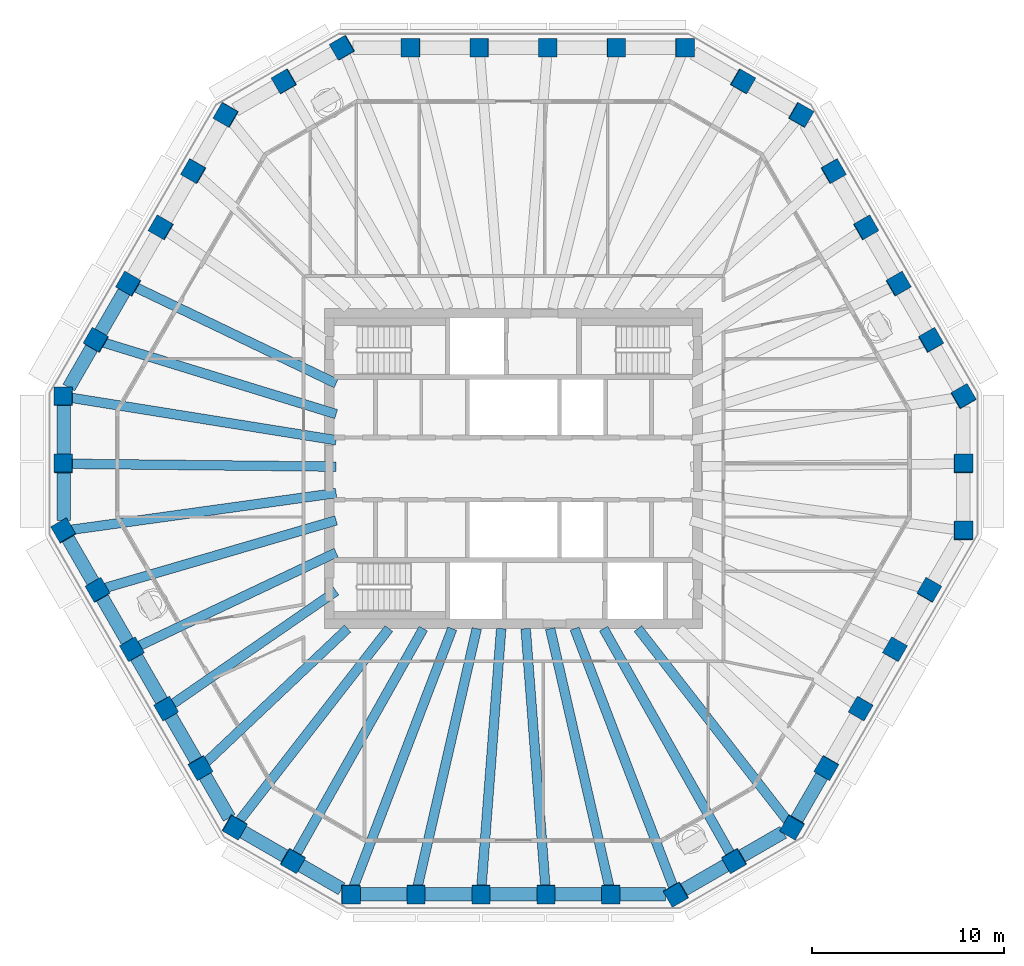
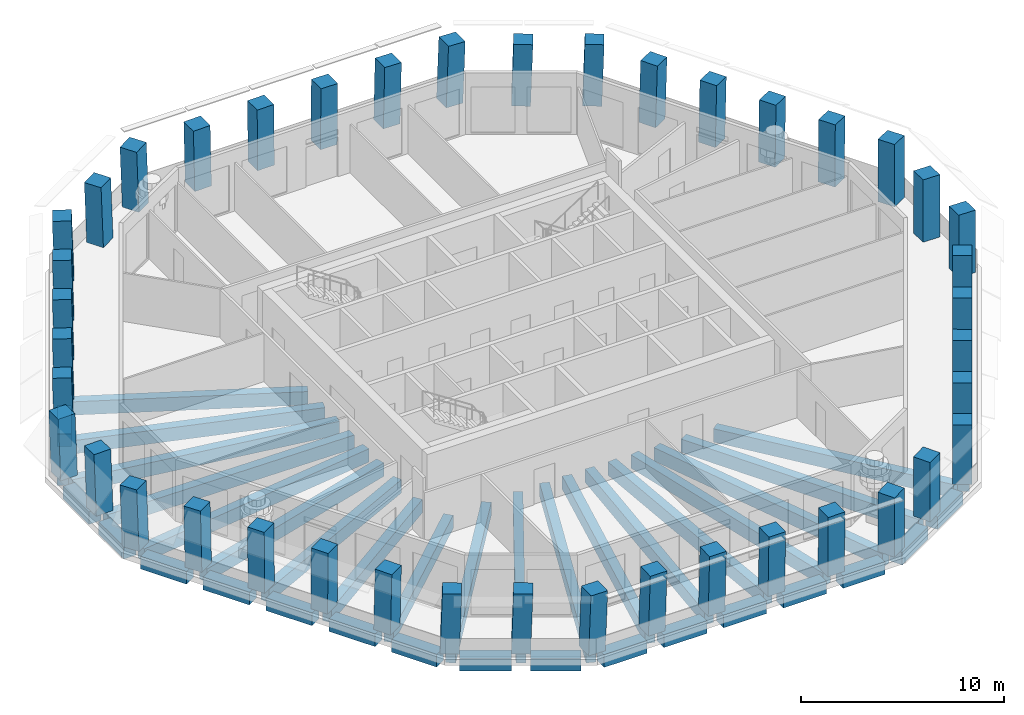
# One storey, part 1 of 12: 42 columns, 38 beams.
"""IFC4 building model written with IfcOpenShell, lengths in metres."""

import ifcopenshell
import ifcopenshell.guid

model = None  # the IFC model being written
_history = None  # IfcOwnerHistory: only IFC2X3 demands one
_inside = {}  # id of a spatial element -> (the spatial element, [elements in it])
_under = {}  # id of a project, library or spatial element -> (it, [spatial elements below it])
_declared = {}  # id of a project -> (the project, [libraries it declares])
_typed = {}  # id of a type object -> (the type object, [elements of that type])
_made_of = {}  # id of a material, layer set ... -> (it, [elements and type objects made of it])


def new_model(schema):
    """Start an empty IFC model of exactly this schema.

    Asked for "IFC4X3", IfcOpenShell would pick the latest addendum, in which some entities
    have other attributes; the version numbers below select the first issue.
    IFC2X3 requires an IfcOwnerHistory on every rooted entity: one is made here for all.
    """
    global model, _history
    if schema == "IFC4X3":
        model = ifcopenshell.file(schema_version=(4, 3, 0, 0))
    else:
        model = ifcopenshell.file(schema=schema)
    _inside.clear()
    _under.clear()
    _declared.clear()
    _typed.clear()
    _made_of.clear()
    _history = None
    if model.schema == "IFC2X3":
        org = make("IfcOrganization", Name="unknown")
        user = make(
            "IfcPersonAndOrganization",
            ThePerson=make("IfcPerson", FamilyName="unknown"),
            TheOrganization=org,
        )
        app = make(
            "IfcApplication",
            ApplicationDeveloper=org,
            Version="unknown",
            ApplicationFullName="unknown",
            ApplicationIdentifier="unknown",
        )
        _history = make(
            "IfcOwnerHistory",
            OwningUser=user,
            OwningApplication=app,
            ChangeAction="ADDED",
            CreationDate=0,
        )
    return model


def make(cls, **values):
    """One entity of the class cls with the attributes given. An attribute that is None is left unset."""
    return model.create_entity(
        cls, **{name: value for name, value in values.items() if value is not None}
    )


def rooted(cls, **values):
    """An entity with a GlobalId (a new one), such as an element, a storey or a relation."""
    return make(cls, GlobalId=ifcopenshell.guid.new(), OwnerHistory=_history, **values)


def si_unit(unit_type, name, prefix=None):
    """IfcSIUnit, for example si_unit("LENGTHUNIT", "METRE", prefix="MILLI")."""
    return make("IfcSIUnit", UnitType=unit_type, Prefix=prefix, Name=name)


def assignment(units):
    """IfcUnitAssignment: the units of a project."""
    return None if units is None else make("IfcUnitAssignment", Units=units)


def point(xyz):
    """IfcCartesianPoint."""
    return None if xyz is None else make("IfcCartesianPoint", Coordinates=xyz)


def direction(xyz):
    """IfcDirection."""
    return None if xyz is None else make("IfcDirection", DirectionRatios=xyz)


def frame(location, z_axis=None, x_axis=None):
    """IfcAxis2Placement3D, a coordinate frame: its origin and axes. An axis left out is left unset."""
    return make(
        "IfcAxis2Placement3D",
        Location=point(location),
        Axis=direction(z_axis),
        RefDirection=direction(x_axis),
    )


def frame_2d(location, x_axis=None):
    """IfcAxis2Placement2D, a coordinate frame in the plane: its origin and x axis."""
    return make(
        "IfcAxis2Placement2D", Location=point(location), RefDirection=direction(x_axis)
    )


def origin():
    """The frame at (0, 0, 0) with its axes left unset."""
    return frame((0.0, 0.0, 0.0))


def origin_2d():
    """The frame at (0, 0) in the plane with its x axis left unset."""
    return frame_2d((0.0, 0.0))


def place(relative_to, where):
    """IfcLocalPlacement: puts the frame where relative to a parent placement (None: the world)."""
    return make(
        "IfcLocalPlacement", PlacementRelTo=relative_to, RelativePlacement=where
    )


def context(
    kind, dimensions, precision=None, world=None, true_north=None, identifier=None
):
    """IfcGeometricRepresentationContext, for example the 3D "Model" context."""
    return make(
        "IfcGeometricRepresentationContext",
        ContextIdentifier=identifier,
        ContextType=kind,
        CoordinateSpaceDimension=dimensions,
        Precision=precision,
        WorldCoordinateSystem=world,
        TrueNorth=true_north,
    )


def subcontext(parent, identifier, kind, view, scale=None):
    """IfcGeometricRepresentationSubContext, for example "Body" below "Model"."""
    return make(
        "IfcGeometricRepresentationSubContext",
        ContextIdentifier=identifier,
        ContextType=kind,
        ParentContext=parent,
        TargetScale=scale,
        TargetView=view,
    )


def project(units=None, contexts=None):
    """IfcProject with its units and contexts."""
    return rooted(
        "IfcProject",
        Name="project",
        RepresentationContexts=contexts,
        UnitsInContext=assignment(units),
    )


def spatial(cls, under=None, at=None, **own):
    """A site, building, storey or space (cls), placed at a placement, below another one or the project."""
    s = rooted(cls, ObjectPlacement=at, **own)
    if under is not None:
        _under.setdefault(under.id(), (under, []))[1].append(s)
    return s


def profile(cls, at=None, kind="AREA", **sizes):
    """A parametric profile (cls). Its sizes go by their IFC names, for example OverallWidth=200.0."""
    return make(cls, ProfileType=kind, Position=at, **sizes)


def rectangle(**sizes):
    """IfcRectangleProfileDef."""
    return profile("IfcRectangleProfileDef", **sizes)


def extrude(swept, where, along, depth):
    """IfcExtrudedAreaSolid: the profile swept, set in the frame where, extruded along a direction by depth."""
    return make(
        "IfcExtrudedAreaSolid",
        SweptArea=swept,
        Position=where,
        ExtrudedDirection=direction(along),
        Depth=depth,
    )


def shape(context_of_items, identifier, shape_type, items):
    """IfcShapeRepresentation: the items that make up one representation, for example the "Body"."""
    return make(
        "IfcShapeRepresentation",
        ContextOfItems=context_of_items,
        RepresentationIdentifier=identifier,
        RepresentationType=shape_type,
        Items=items,
    )


def material(Name=None, Category=None):
    """IfcMaterial."""
    return make("IfcMaterial", Name=Name, Category=Category)


def material_profile(
    of_material, cross_section, Name=None, Category=None, Priority=None
):
    """IfcMaterialProfile: a cross section and its material."""
    return make(
        "IfcMaterialProfile",
        Name=Name,
        Material=of_material,
        Profile=cross_section,
        Priority=Priority,
        Category=Category,
    )


def profile_set(profiles, Name=None, composite=None):
    """IfcMaterialProfileSet."""
    return make(
        "IfcMaterialProfileSet",
        Name=Name,
        MaterialProfiles=profiles,
        CompositeProfile=composite,
    )


def made_of(thing, what):
    """Note that an element or type object is made of a material, layer set ...; save() writes the relation."""
    if what is not None:
        _made_of.setdefault(what.id(), (what, []))[1].append(thing)
    return thing


def type_object(cls, material=None, **own):
    """A type object (cls), such as IfcWallType, which elements share."""
    return made_of(rooted(cls, **own), material)


def element(
    cls,
    number,
    at=None,
    inside=None,
    cuts=None,
    type_object=None,
    material=None,
    context=None,
    identifier="Body",
    shape_type=None,
    held_by="IfcProductDefinitionShape",
    body=None,
    shapes=None,
    **own,
):
    """One element of the class cls, such as IfcWall. Its Tag is "e" and its number.

    at: its placement. inside: the storey or other place that contains it. cuts: it is an
    opening in that element (IfcRelVoidsElement). A single representation is given by context,
    identifier, shape_type and body (its items); several are given by shapes. held_by: the class
    of the entity that holds the representations. save() writes the other relations.
    """
    e = rooted(cls, Tag="e%d" % number, ObjectPlacement=at, **own)
    if body is not None:
        shapes = [shape(context, identifier, shape_type, body)]
    if shapes is not None:
        e.Representation = make(held_by, Representations=shapes)
    if inside is not None:
        _inside.setdefault(inside.id(), (inside, []))[1].append(e)
    if cuts is not None:
        rooted(
            "IfcRelVoidsElement", RelatingBuildingElement=cuts, RelatedOpeningElement=e
        )
    if type_object is not None:
        _typed.setdefault(type_object.id(), (type_object, []))[1].append(e)
    return made_of(e, material)


def aggregate(whole, parts):
    """IfcRelAggregates: a whole, such as a stair, and the parts it consists of."""
    return rooted("IfcRelAggregates", RelatingObject=whole, RelatedObjects=parts)


def save(model, path):
    """Write the relations noted so far, then the file.

    IfcRelAggregates (storeys below a building ...), IfcRelContainedInSpatialStructure (elements
    in a storey), IfcRelDefinesByType, IfcRelAssociatesMaterial and IfcRelDeclares: one each for
    every whole, place, type object, material and project.
    """
    for whole, parts in _under.values():
        aggregate(whole, parts)
    for where, things in _inside.values():
        rooted(
            "IfcRelContainedInSpatialStructure",
            RelatedElements=things,
            RelatingStructure=where,
        )
    for kind, things in _typed.values():
        rooted("IfcRelDefinesByType", RelatedObjects=things, RelatingType=kind)
    for what, things in _made_of.values():
        rooted("IfcRelAssociatesMaterial", RelatedObjects=things, RelatingMaterial=what)
    for by, libraries in _declared.values():
        rooted("IfcRelDeclares", RelatingContext=by, RelatedDefinitions=libraries)
    model.write(path)


model = new_model("IFC4")

# Units and contexts
model_context = context("Model", 3, precision=1e-05, world=origin(), true_north=direction((0.0, 1.0)))
body_context = subcontext(model_context, "Body", "Model", "MODEL_VIEW")
ifc_project = project(units=[si_unit("LENGTHUNIT", "METRE"), si_unit("AREAUNIT", "SQUARE_METRE"), si_unit("VOLUMEUNIT", "CUBIC_METRE"), si_unit("PLANEANGLEUNIT", "RADIAN"), si_unit("MASSUNIT", "GRAM", prefix="KILO")], contexts=[model_context])

# Site, building, storey
site_placement = place(None, origin())
site = spatial("IfcSite", under=ifc_project, at=site_placement, CompositionType="ELEMENT")
building_placement = place(site_placement, origin())
building = spatial("IfcBuilding", under=site, at=building_placement, Name="Frailejon Research Tower", CompositionType="ELEMENT")
storey_placement = place(building_placement, frame((0.0, 0.0, 271.0)))
storey = spatial("IfcBuildingStorey", under=building, at=storey_placement, Name="L59", CompositionType="ELEMENT", Elevation=271.0)

# Columns
ifc_material_1 = material(Name="Concrete C50/60", Category="concrete")
ifc_material_profile_1 = material_profile(ifc_material_1, rectangle(XDim=0.949951171875, YDim=0.949951171875, at=origin_2d()), Name="Column 950")
ifc_profile_set_1 = profile_set([ifc_material_profile_1], Name="Concrete C50/60")
column_type = type_object("IfcColumnType", Name="Column 950", PredefinedType="COLUMN", material=ifc_profile_set_1)
for number, where, z_axis, x_axis, name in (
    (1, (23.468994140625, -3.25048828125, 0.0), (0.018115165867, 0.031417446337, 0.999342176049), (-0.000356798002, 0.999506327589, -0.031416139245), "Column C01"),
    (2, (23.468994140625, 0.25146484375, 0.0), (0.018115165867, 0.031417446337, 0.999342176049), (-0.000700571395, 0.999506341588, -0.031409908073), "Column C02"),
    (3, (23.468994140625, 3.75341796875, 0.0), (0.018115165867, 0.031417446337, 0.999342176049), (-0.500524543364, 0.865532325635, -0.018137661659), "Column C03"),
):
    element("IfcColumn", number, at=place(storey_placement, frame(where, z_axis=z_axis, x_axis=x_axis)), inside=storey, type_object=column_type, Name=name, PredefinedType="COLUMN", context=body_context, shape_type="SweptSolid", body=[
        extrude(rectangle(XDim=0.949951171875, YDim=0.949951171875, at=origin_2d()), origin(), (0.0, 0.0, 1.0), 3.65234375),
    ])
for number, where, z_axis, x_axis, name in (
    (4, (21.772216796875, 6.6923828125, 0.0), (0.021793949015, 0.025136579231, 0.999446434868), (-0.499665408411, 0.866150057728, -0.010888394553), "Column C04"),
    (5, (20.075439453125, 9.631103515625, 0.0), (0.025405304683, 0.018920266383, 0.999498171091), (-0.501003025271, 0.865437843341, -0.003648010707), "Column C05"),
):
    element("IfcColumn", number, at=place(storey_placement, frame(where, z_axis=z_axis, x_axis=x_axis)), inside=storey, type_object=column_type, Name=name, PredefinedType="COLUMN", context=body_context, shape_type="SweptSolid", body=[
        extrude(rectangle(XDim=0.949951171875, YDim=0.949951171875, at=origin_2d()), origin(), (0.0, 0.0, 1.0), 3.65185546875),
    ])
column_1_placement = place(storey_placement, frame((18.378662109375, 12.5703125, 0.0), z_axis=(0.029015583354, 0.012568962375, 0.99949993352), x_axis=(-0.499848966802, 0.86610502362, 0.003619177736)))
element("IfcColumn", 6, at=column_1_placement, inside=storey, type_object=column_type, Name="Column C06", PredefinedType="COLUMN", context=body_context, shape_type="SweptSolid", body=[
    extrude(rectangle(XDim=0.949951171875, YDim=0.949951171875, at=origin_2d()), origin(), (0.0, 0.0, 1.0), 3.651611328125),
])
column_2_placement = place(storey_placement, frame((16.681884765625, 15.509033203125, 0.0), z_axis=(0.032624119908, 0.006284154245, 0.999447935715), x_axis=(-0.500036299202, 0.865936128062, 0.010877573109)))
element("IfcColumn", 7, at=column_2_placement, inside=storey, type_object=column_type, Name="Column C07", PredefinedType="COLUMN", context=body_context, shape_type="SweptSolid", body=[
    extrude(rectangle(XDim=0.949951171875, YDim=0.949951171875, at=origin_2d()), origin(), (0.0, 0.0, 1.0), 3.65185546875),
])
for number, where, z_axis, x_axis, name in (
    (8, (14.985107421875, 18.447998046875, 0.0), (0.036230378439, 0.0, 0.99934346432), (-0.865314641241, 0.500246354177, 0.031371273281), "Column C08"),
    (9, (11.9521484375, 20.198974609375, 0.0), (0.036297136169, 0.0, 0.99934104184), (-0.865312543657, 0.500246354177, 0.031429077673), "Column C09"),
    (10, (8.91943359375, 21.949951171875, 0.0), (0.036297136169, 0.0, 0.99934104184), (-0.99934104184, 0.0, 0.036297136169), "Column C10"),
):
    element("IfcColumn", number, at=place(storey_placement, frame(where, z_axis=z_axis, x_axis=x_axis)), inside=storey, type_object=column_type, Name=name, PredefinedType="COLUMN", context=body_context, shape_type="SweptSolid", body=[
        extrude(rectangle(XDim=0.949951171875, YDim=0.949951171875, at=origin_2d()), origin(), (0.0, 0.0, 1.0), 3.65234375),
    ])
column_3_placement = place(storey_placement, frame((5.351806640625, 21.949951171875, 0.0), z_axis=(0.021733995409, 0.0, 0.999763788824), x_axis=(-0.999763788824, 0.0, 0.021733995409)))
element("IfcColumn", 11, at=column_3_placement, inside=storey, type_object=column_type, Name="Column C11", PredefinedType="COLUMN", context=body_context, shape_type="SweptSolid", body=[
    extrude(rectangle(XDim=0.949951171875, YDim=0.949951171875, at=origin_2d()), origin(), (0.0, 0.0, 1.0), 3.65087890625),
])
for number, where, z_axis, x_axis, name in (
    (12, (1.783935546875, 21.949951171875, 0.0), (0.007223891772, 0.0, 0.999973907353), (-0.999973907353, 0.0, 0.007223891772), "Column C12"),
    (13, (-1.783935546875, 21.949951171875, 0.0), (-0.007223891772, 0.0, 0.999973907353), (-0.999973907353, 0.0, -0.007223891772), "Column C13"),
):
    element("IfcColumn", number, at=place(storey_placement, frame(where, z_axis=z_axis, x_axis=x_axis)), inside=storey, type_object=column_type, Name=name, PredefinedType="COLUMN", context=body_context, shape_type="SweptSolid", body=[
        extrude(rectangle(XDim=0.949951171875, YDim=0.949951171875, at=origin_2d()), origin(), (0.0, 0.0, 1.0), 3.64990234375),
    ])
column_4_placement = place(storey_placement, frame((-5.351806640625, 21.949951171875, 0.0), z_axis=(-0.021733995409, 0.0, 0.999763788824), x_axis=(-0.999763788824, 0.0, -0.021733995409)))
element("IfcColumn", 14, at=column_4_placement, inside=storey, type_object=column_type, Name="Column C14", PredefinedType="COLUMN", context=body_context, shape_type="SweptSolid", body=[
    extrude(rectangle(XDim=0.949951171875, YDim=0.949951171875, at=origin_2d()), origin(), (0.0, 0.0, 1.0), 3.65087890625),
])
for number, where, z_axis, x_axis, name in (
    (15, (-8.91943359375, 21.949951171875, 0.0), (-0.036297136169, 0.0, 0.99934104184), (-0.865312543657, -0.500246354177, -0.031429077673), "Column C15"),
    (16, (-11.9521484375, 20.198974609375, 0.0), (-0.036297136169, 0.0, 0.99934104184), (-0.865312543657, -0.500246354177, -0.031429077673), "Column C16"),
    (17, (-14.985107421875, 18.447998046875, 0.0), (-0.036230378439, 0.0, 0.99934346432), (-0.499425499283, -0.866167613071, -0.018106262248), "Column C17"),
):
    element("IfcColumn", number, at=place(storey_placement, frame(where, z_axis=z_axis, x_axis=x_axis)), inside=storey, type_object=column_type, Name=name, PredefinedType="COLUMN", context=body_context, shape_type="SweptSolid", body=[
        extrude(rectangle(XDim=0.949951171875, YDim=0.949951171875, at=origin_2d()), origin(), (0.0, 0.0, 1.0), 3.65234375),
    ])
column_5_placement = place(storey_placement, frame((-16.681884765625, 15.509033203125, 0.0), z_axis=(-0.032624119908, 0.006284154245, 0.999447935715), x_axis=(-0.500036299202, -0.865936128062, -0.010877573109)))
element("IfcColumn", 18, at=column_5_placement, inside=storey, type_object=column_type, Name="Column C18", PredefinedType="COLUMN", context=body_context, shape_type="SweptSolid", body=[
    extrude(rectangle(XDim=0.949951171875, YDim=0.949951171875, at=origin_2d()), origin(), (0.0, 0.0, 1.0), 3.65185546875),
])
column_6_placement = place(storey_placement, frame((-18.378662109375, 12.5703125, 0.0), z_axis=(-0.029015583354, 0.012568962375, 0.99949993352), x_axis=(-0.499848966802, -0.86610502362, -0.003619177736)))
element("IfcColumn", 19, at=column_6_placement, inside=storey, type_object=column_type, Name="Column C19", PredefinedType="COLUMN", context=body_context, shape_type="SweptSolid", body=[
    extrude(rectangle(XDim=0.949951171875, YDim=0.949951171875, at=origin_2d()), origin(), (0.0, 0.0, 1.0), 3.651611328125),
])
for number, where, z_axis, x_axis, name in (
    (20, (-20.075439453125, 9.631103515625, 0.0), (-0.025405304683, 0.018920266383, 0.999498171091), (-0.501003025271, -0.865437843341, 0.003648010707), "Column C20"),
    (21, (-21.772216796875, 6.6923828125, 0.0), (-0.021793949015, 0.025136579231, 0.999446434868), (-0.499665408411, -0.866150057728, 0.010888394553), "Column C21"),
):
    element("IfcColumn", number, at=place(storey_placement, frame(where, z_axis=z_axis, x_axis=x_axis)), inside=storey, type_object=column_type, Name=name, PredefinedType="COLUMN", context=body_context, shape_type="SweptSolid", body=[
        extrude(rectangle(XDim=0.949951171875, YDim=0.949951171875, at=origin_2d()), origin(), (0.0, 0.0, 1.0), 3.65185546875),
    ])
for number, where, z_axis, x_axis, name in (
    (22, (-23.468994140625, 3.75341796875, 0.0), (-0.018115165867, 0.031417446337, 0.999342176049), (-0.000700571395, -0.999506341588, 0.031409908073), "Column C22"),
    (23, (-23.468994140625, 0.25146484375, 0.0), (-0.018115165867, 0.031417446337, 0.999342176049), (-0.000700571395, -0.999506341588, 0.031409908073), "Column C23"),
    (24, (-23.468994140625, -3.25048828125, 0.0), (-0.018115165867, 0.031417446337, 0.999342176049), (0.49985680131, -0.865348463809, 0.036265884358), "Column C24"),
):
    element("IfcColumn", number, at=place(storey_placement, frame(where, z_axis=z_axis, x_axis=x_axis)), inside=storey, type_object=column_type, Name=name, PredefinedType="COLUMN", context=body_context, shape_type="SweptSolid", body=[
        extrude(rectangle(XDim=0.949951171875, YDim=0.949951171875, at=origin_2d()), origin(), (0.0, 0.0, 1.0), 3.65234375),
    ])
column_7_placement = place(storey_placement, frame((-21.68505859375, -6.34033203125, 0.0), z_axis=(-0.010900423214, 0.018858400897, 0.999762742599), x_axis=(0.500590318805, -0.865410234662, 0.021782067434)))
element("IfcColumn", 25, at=column_7_placement, inside=storey, type_object=column_type, Name="Column C25", PredefinedType="COLUMN", context=body_context, shape_type="SweptSolid", body=[
    extrude(rectangle(XDim=0.949951171875, YDim=0.949951171875, at=origin_2d()), origin(), (0.0, 0.0, 1.0), 3.65087890625),
])
for number, where, z_axis, x_axis, name in (
    (26, (-19.901123046875, -9.43017578125, 0.0), (-0.003611945175, 0.00628746012, 0.999973710503), (0.497890394796, -0.867209649664, 0.007251089524), "Column C26"),
    (27, (-18.1171875, -12.52001953125, 0.0), (0.003611946686, -0.006220574848, 0.99997412881), (0.501902146393, -0.864894498618, -0.007193170855), "Column C27"),
):
    element("IfcColumn", number, at=place(storey_placement, frame(where, z_axis=z_axis, x_axis=x_axis)), inside=storey, type_object=column_type, Name=name, PredefinedType="COLUMN", context=body_context, shape_type="SweptSolid", body=[
        extrude(rectangle(XDim=0.949951171875, YDim=0.949951171875, at=origin_2d()), origin(), (0.0, 0.0, 1.0), 3.64990234375),
    ])
column_8_placement = place(storey_placement, frame((-16.33349609375, -15.609619140625, 0.0), z_axis=(0.010900423214, -0.018858400897, 0.999762742599), x_axis=(0.500590318805, -0.865410234662, -0.021782067434)))
element("IfcColumn", 28, at=column_8_placement, inside=storey, type_object=column_type, Name="Column C28", PredefinedType="COLUMN", context=body_context, shape_type="SweptSolid", body=[
    extrude(rectangle(XDim=0.949951171875, YDim=0.949951171875, at=origin_2d()), origin(), (0.0, 0.0, 1.0), 3.65087890625),
])
for number, where, z_axis, x_axis, name in (
    (29, (-14.549560546875, -18.699462890625, 0.0), (0.018115165867, -0.031417446337, 0.999342176049), (0.865990190707, -0.499074935871, -0.031387863648), "Column C29"),
    (30, (-11.516845703125, -20.450439453125, 0.0), (0.018115165867, -0.031417446337, 0.999342176049), (0.865519692755, -0.499889378995, -0.031404939456), "Column C30"),
    (31, (-8.48388671875, -22.201416015625, 0.0), (0.018115165867, -0.031417446337, 0.999342176049), (0.999835642796, -0.000157281862, -0.01812905563), "Column C31"),
):
    element("IfcColumn", number, at=place(storey_placement, frame(where, z_axis=z_axis, x_axis=x_axis)), inside=storey, type_object=column_type, Name=name, PredefinedType="COLUMN", context=body_context, shape_type="SweptSolid", body=[
        extrude(rectangle(XDim=0.949951171875, YDim=0.949951171875, at=origin_2d()), origin(), (0.0, 0.0, 1.0), 3.65234375),
    ])
column_9_placement = place(storey_placement, frame((-5.09033203125, -22.201416015625, 0.0), z_axis=(0.010896978963, -0.031420736888, 0.99944684358), x_axis=(0.999940625187, 0.000298260455, -0.010892985919)))
element("IfcColumn", 32, at=column_9_placement, inside=storey, type_object=column_type, Name="Column C32", PredefinedType="COLUMN", context=body_context, shape_type="SweptSolid", body=[
    extrude(rectangle(XDim=0.949951171875, YDim=0.949951171875, at=origin_2d()), origin(), (0.0, 0.0, 1.0), 3.65185546875),
])
for number, where, z_axis, x_axis, name in (
    (33, (-1.69677734375, -22.201416015625, 0.0), (0.003610232938, -0.031422397791, 0.999499674405), (0.999993379572, -0.000341341874, -0.00362274737), "Column C33"),
    (34, (1.69677734375, -22.201416015625, 0.0), (-0.003610232938, -0.031422397791, 0.999499674405), (0.999993379572, 0.000341341874, 0.00362274737), "Column C34"),
):
    element("IfcColumn", number, at=place(storey_placement, frame(where, z_axis=z_axis, x_axis=x_axis)), inside=storey, type_object=column_type, Name=name, PredefinedType="COLUMN", context=body_context, shape_type="SweptSolid", body=[
        extrude(rectangle(XDim=0.949951171875, YDim=0.949951171875, at=origin_2d()), origin(), (0.0, 0.0, 1.0), 3.651611328125),
    ])
column_10_placement = place(storey_placement, frame((5.09033203125, -22.201416015625, 0.0), z_axis=(-0.010896978963, -0.031420736888, 0.99944684358), x_axis=(0.999940625187, -0.000298260455, 0.010892985919)))
element("IfcColumn", 35, at=column_10_placement, inside=storey, type_object=column_type, Name="Column C35", PredefinedType="COLUMN", context=body_context, shape_type="SweptSolid", body=[
    extrude(rectangle(XDim=0.949951171875, YDim=0.949951171875, at=origin_2d()), origin(), (0.0, 0.0, 1.0), 3.65185546875),
])
for number, where, z_axis, x_axis, name in (
    (36, (8.48388671875, -22.201416015625, 0.0), (-0.018115165867, -0.031417446337, 0.999342176049), (0.865519692755, 0.499889378995, 0.031404939456), "Column C36"),
    (37, (11.516845703125, -20.450439453125, 0.0), (-0.018115165867, -0.031417446337, 0.999342176049), (0.865519692755, 0.499889378995, 0.031404939456), "Column C37"),
    (38, (14.549560546875, -18.699462890625, 0.0), (-0.018115165867, -0.031417446337, 0.999342176049), (0.49985680131, 0.865348463809, 0.036265884358), "Column C38"),
):
    element("IfcColumn", number, at=place(storey_placement, frame(where, z_axis=z_axis, x_axis=x_axis)), inside=storey, type_object=column_type, Name=name, PredefinedType="COLUMN", context=body_context, shape_type="SweptSolid", body=[
        extrude(rectangle(XDim=0.949951171875, YDim=0.949951171875, at=origin_2d()), origin(), (0.0, 0.0, 1.0), 3.65234375),
    ])
column_11_placement = place(storey_placement, frame((16.33349609375, -15.609619140625, 0.0), z_axis=(-0.010900423214, -0.018858400897, 0.999762742599), x_axis=(0.500590318805, 0.865410234662, 0.021782067434)))
element("IfcColumn", 39, at=column_11_placement, inside=storey, type_object=column_type, Name="Column C39", PredefinedType="COLUMN", context=body_context, shape_type="SweptSolid", body=[
    extrude(rectangle(XDim=0.949951171875, YDim=0.949951171875, at=origin_2d()), origin(), (0.0, 0.0, 1.0), 3.65087890625),
])
for number, where, z_axis, x_axis, name in (
    (40, (18.1171875, -12.52001953125, 0.0), (-0.003611946686, -0.006220574848, 0.99997412881), (0.501902146393, 0.864894498618, 0.007193170855), "Column C40"),
    (41, (19.901123046875, -9.43017578125, 0.0), (0.003611945175, 0.00628746012, 0.999973710503), (0.497890394796, 0.867209649664, -0.007251089524), "Column C41"),
):
    element("IfcColumn", number, at=place(storey_placement, frame(where, z_axis=z_axis, x_axis=x_axis)), inside=storey, type_object=column_type, Name=name, PredefinedType="COLUMN", context=body_context, shape_type="SweptSolid", body=[
        extrude(rectangle(XDim=0.949951171875, YDim=0.949951171875, at=origin_2d()), origin(), (0.0, 0.0, 1.0), 3.64990234375),
    ])
column_12_placement = place(storey_placement, frame((21.68505859375, -6.34033203125, 0.0), z_axis=(0.010900423214, 0.018858400897, 0.999762742599), x_axis=(0.500590318805, 0.865410234662, -0.021782067434)))
element("IfcColumn", 42, at=column_12_placement, inside=storey, type_object=column_type, Name="Column C42", PredefinedType="COLUMN", context=body_context, shape_type="SweptSolid", body=[
    extrude(rectangle(XDim=0.949951171875, YDim=0.949951171875, at=origin_2d()), origin(), (0.0, 0.0, 1.0), 3.65087890625),
])

# Beams
ifc_material_2 = material(Name="Concrete C60/75", Category="concrete")
ifc_material_profile_2 = material_profile(ifc_material_2, rectangle(XDim=0.5, YDim=0.800048828125, at=origin_2d()), Name="Girder 500x800")
ifc_profile_set_2 = profile_set([ifc_material_profile_2], Name="Concrete C60/75")
beam_type_1 = type_object("IfcBeamType", Name="Girder 500x800", PredefinedType="BEAM", material=ifc_profile_set_2)
beam_1_placement = place(storey_placement, frame((-19.781005859375, 9.489990234375, -0.699951171875), z_axis=(0.901611104768, -0.432547587854, 0.0), x_axis=(0.432547587854, 0.901611104768, 0.0)))
element("IfcBeam", 43, at=beam_1_placement, inside=storey, type_object=beam_type_1, Name="Girder 500x800", PredefinedType="BEAM", context=body_context, shape_type="SweptSolid", body=[
    extrude(rectangle(XDim=0.5, YDim=0.800048828125, at=origin_2d()), origin(), (0.0, 0.0, 1.0), 11.68017578125),
])
beam_2_placement = place(storey_placement, frame((-21.44970703125, 6.59326171875, -0.699951171875), z_axis=(0.955861689664, -0.293817001266, 0.0), x_axis=(0.293817001266, 0.955861689664, 0.0)))
element("IfcBeam", 44, at=beam_2_placement, inside=storey, type_object=beam_type_1, Name="Girder 500x800", PredefinedType="BEAM", context=body_context, shape_type="SweptSolid", body=[
    extrude(rectangle(XDim=0.5, YDim=0.800048828125, at=origin_2d()), origin(), (0.0, 0.0, 1.0), 12.762939453125),
])
beam_3_placement = place(storey_placement, frame((-23.14208984375, 3.701171875, -0.699951171875), z_axis=(0.987452324591, -0.157917404551, 0.0), x_axis=(0.157917404551, 0.987452324591, 0.0)))
element("IfcBeam", 45, at=beam_3_placement, inside=storey, type_object=beam_type_1, Name="Girder 500x800", PredefinedType="BEAM", context=body_context, shape_type="SweptSolid", body=[
    extrude(rectangle(XDim=0.5, YDim=0.800048828125, at=origin_2d()), origin(), (0.0, 0.0, 1.0), 14.068603515625),
])
beam_4_placement = place(storey_placement, frame((-23.14404296875, 0.247802734375, -0.699951171875), z_axis=(0.999942748071, -0.010700494352, 0.0), x_axis=(0.010700494352, 0.999942748071, 0.0)))
element("IfcBeam", 46, at=beam_4_placement, inside=storey, type_object=beam_type_1, Name="Girder 500x800", PredefinedType="BEAM", context=body_context, shape_type="SweptSolid", body=[
    extrude(rectangle(XDim=0.5, YDim=0.800048828125, at=origin_2d()), origin(), (0.0, 0.0, 1.0), 13.894775390625),
])
beam_5_placement = place(storey_placement, frame((-23.109619140625, -3.20068359375, -0.699951171875), z_axis=(0.990545891156, 0.137181768153, 0.0), x_axis=(-0.137181768153, 0.990545891156, 0.0)))
element("IfcBeam", 47, at=beam_5_placement, inside=storey, type_object=beam_type_1, Name="Girder 500x800", PredefinedType="BEAM", context=body_context, shape_type="SweptSolid", body=[
    extrude(rectangle(XDim=0.5, YDim=0.800048828125, at=origin_2d()), origin(), (0.0, 0.0, 1.0), 13.991943359375),
])
beam_6_placement = place(storey_placement, frame((-21.35986328125, -6.2451171875, -0.699951171875), z_axis=(0.959819051667, 0.280619650161, 0.0), x_axis=(-0.280619650161, 0.959819051667, 0.0)))
element("IfcBeam", 48, at=beam_6_placement, inside=storey, type_object=beam_type_1, Name="Girder 500x800", PredefinedType="BEAM", context=body_context, shape_type="SweptSolid", body=[
    extrude(rectangle(XDim=0.5, YDim=0.800048828125, at=origin_2d()), origin(), (0.0, 0.0, 1.0), 12.61669921875),
])
beam_7_placement = place(storey_placement, frame((-19.606201171875, -9.290283203125, -0.699951171875), z_axis=(0.903681872797, 0.428204475429, 0.0), x_axis=(-0.428204475429, 0.903681872797, 0.0)))
element("IfcBeam", 49, at=beam_7_placement, inside=storey, type_object=beam_type_1, Name="Girder 500x800", PredefinedType="BEAM", context=body_context, shape_type="SweptSolid", body=[
    extrude(rectangle(XDim=0.5, YDim=0.800048828125, at=origin_2d()), origin(), (0.0, 0.0, 1.0), 11.4599609375),
])
beam_8_placement = place(storey_placement, frame((-17.8486328125, -12.334228515625, -0.699951171875), z_axis=(0.822673728807, 0.568513795725, 0.0), x_axis=(-0.568513795725, 0.822673728807, 0.0)))
element("IfcBeam", 50, at=beam_8_placement, inside=storey, type_object=beam_type_1, Name="Girder 500x800", PredefinedType="BEAM", context=body_context, shape_type="SweptSolid", body=[
    extrude(rectangle(XDim=0.5, YDim=0.800048828125, at=origin_2d()), origin(), (0.0, 0.0, 1.0), 10.4521484375),
])
beam_9_placement = place(storey_placement, frame((-16.08740234375, -15.37744140625, -0.699951171875), z_axis=(0.726864916827, 0.686780454502, 0.0), x_axis=(-0.686780454502, 0.726864916827, 0.0)))
element("IfcBeam", 51, at=beam_9_placement, inside=storey, type_object=beam_type_1, Name="Girder 500x800", PredefinedType="BEAM", context=body_context, shape_type="SweptSolid", body=[
    extrude(rectangle(XDim=0.5, YDim=0.800048828125, at=origin_2d()), origin(), (0.0, 0.0, 1.0), 10.232421875),
])
beam_10_placement = place(storey_placement, frame((-14.34716796875, -18.439208984375, -0.699951171875), z_axis=(0.614099262214, 0.789228798352, 0.0), x_axis=(-0.789228798352, 0.614099262214, 0.0)))
element("IfcBeam", 52, at=beam_10_placement, inside=storey, type_object=beam_type_1, Name="Girder 500x800", PredefinedType="BEAM", context=body_context, shape_type="SweptSolid", body=[
    extrude(rectangle(XDim=0.5, YDim=0.800048828125, at=origin_2d()), origin(), (0.0, 0.0, 1.0), 12.783447265625),
])
beam_11_placement = place(storey_placement, frame((-11.357421875, -20.167236328125, -0.699951171875), z_axis=(0.490703041479, 0.87132687614, 0.0), x_axis=(-0.87132687614, 0.490703041479, 0.0)))
element("IfcBeam", 53, at=beam_11_placement, inside=storey, type_object=beam_type_1, Name="Girder 500x800", PredefinedType="BEAM", context=body_context, shape_type="SweptSolid", body=[
    extrude(rectangle(XDim=0.5, YDim=0.800048828125, at=origin_2d()), origin(), (0.0, 0.0, 1.0), 13.562255859375),
])
beam_12_placement = place(storey_placement, frame((-8.35595703125, -21.866455078125, -0.699951171875), z_axis=(0.356957781855, 0.934120517906, 0.0), x_axis=(-0.934120517906, 0.356957781855, 0.0)))
element("IfcBeam", 54, at=beam_12_placement, inside=storey, type_object=beam_type_1, Name="Girder 500x800", PredefinedType="BEAM", context=body_context, shape_type="SweptSolid", body=[
    extrude(rectangle(XDim=0.5, YDim=0.800048828125, at=origin_2d()), origin(), (0.0, 0.0, 1.0), 14.4697265625),
])
beam_13_placement = place(storey_placement, frame((-5.014892578125, -21.87255859375, -0.699951171875), z_axis=(0.223475080488, 0.974709643125, 0.0), x_axis=(-0.974709643125, 0.223475080488, 0.0)))
element("IfcBeam", 55, at=beam_13_placement, inside=storey, type_object=beam_type_1, Name="Girder 500x800", PredefinedType="BEAM", context=body_context, shape_type="SweptSolid", body=[
    extrude(rectangle(XDim=0.5, YDim=0.800048828125, at=origin_2d()), origin(), (0.0, 0.0, 1.0), 13.873291015625),
])
for number, where, z_axis, x_axis, name in (
    (56, (-1.671875, -21.8759765625, -0.699951171875), (0.076201031322, 0.997092474561, 0.0), (-0.997092474561, 0.076201031322, 0.0), "Girder 500x800"),
    (57, (1.671875, -21.8759765625, -0.699951171875), (-0.076201031322, 0.997092474561, 0.0), (-0.997092474561, -0.076201031322, 0.0), "Girder 500x800"),
):
    element("IfcBeam", number, at=place(storey_placement, frame(where, z_axis=z_axis, x_axis=x_axis)), inside=storey, type_object=beam_type_1, Name=name, PredefinedType="BEAM", context=body_context, shape_type="SweptSolid", body=[
        extrude(rectangle(XDim=0.5, YDim=0.800048828125, at=origin_2d()), origin(), (0.0, 0.0, 1.0), 13.5654296875),
    ])
beam_14_placement = place(storey_placement, frame((5.014892578125, -21.87255859375, -0.699951171875), z_axis=(-0.223475080488, 0.974709643125, 0.0), x_axis=(-0.974709643125, -0.223475080488, 0.0)))
element("IfcBeam", 58, at=beam_14_placement, inside=storey, type_object=beam_type_1, Name="Girder 500x800", PredefinedType="BEAM", context=body_context, shape_type="SweptSolid", body=[
    extrude(rectangle(XDim=0.5, YDim=0.800048828125, at=origin_2d()), origin(), (0.0, 0.0, 1.0), 13.873291015625),
])
beam_15_placement = place(storey_placement, frame((8.36572265625, -21.89208984375, -0.699951171875), z_axis=(-0.356955961017, 0.934121213705, 0.0), x_axis=(-0.934121213705, -0.356955961017, 0.0)))
element("IfcBeam", 59, at=beam_15_placement, inside=storey, type_object=beam_type_1, Name="Girder 500x800", PredefinedType="BEAM", context=body_context, shape_type="SweptSolid", body=[
    extrude(rectangle(XDim=0.5, YDim=0.800048828125, at=origin_2d()), origin(), (0.0, 0.0, 1.0), 14.4970703125),
])
beam_16_placement = place(storey_placement, frame((11.357421875, -20.167236328125, -0.699951171875), z_axis=(-0.490703041479, 0.87132687614, 0.0), x_axis=(-0.87132687614, -0.490703041479, 0.0)))
element("IfcBeam", 60, at=beam_16_placement, inside=storey, type_object=beam_type_1, Name="Girder 500x800", PredefinedType="BEAM", context=body_context, shape_type="SweptSolid", body=[
    extrude(rectangle(XDim=0.5, YDim=0.800048828125, at=origin_2d()), origin(), (0.0, 0.0, 1.0), 13.562255859375),
])
beam_17_placement = place(storey_placement, frame((14.326904296875, -18.4130859375, -0.699951171875), z_axis=(-0.614102324336, 0.789226415704, 0.0), x_axis=(-0.789226415704, -0.614102324336, 0.0)))
element("IfcBeam", 61, at=beam_17_placement, inside=storey, type_object=beam_type_1, Name="Girder 500x800", PredefinedType="BEAM", context=body_context, shape_type="SweptSolid", body=[
    extrude(rectangle(XDim=0.5, YDim=0.800048828125, at=origin_2d()), origin(), (0.0, 0.0, 1.0), 12.75048828125),
])
ifc_material_3 = material(Name="Concrete C60/75", Category="concrete")
ifc_material_profile_3 = material_profile(ifc_material_3, rectangle(XDim=0.699951171875, YDim=0.75, at=origin_2d()), Name="Spandrel 700x750")
ifc_profile_set_3 = profile_set([ifc_material_profile_3], Name="Concrete C60/75")
beam_type_2 = type_object("IfcBeamType", Name="Spandrel 700x750", PredefinedType="BEAM", material=ifc_profile_set_3)
beam_18_placement = place(storey_placement, frame((-20.31298828125, 9.2197265625, -0.72509765625), z_axis=(-0.500007885066, -0.866020851292, 0.0), x_axis=(0.866020851292, -0.500007885066, 0.0)))
element("IfcBeam", 62, at=beam_18_placement, inside=storey, type_object=beam_type_2, Name="Spandrel 700x750", PredefinedType="BEAM", context=body_context, shape_type="SweptSolid", body=[
    extrude(rectangle(XDim=0.699951171875, YDim=0.75, at=origin_2d()), origin(), (0.0, 0.0, 1.0), 2.443359375),
])
beam_19_placement = place(storey_placement, frame((-22.009765625, 6.281005859375, -0.72509765625), z_axis=(-0.5000167099, -0.866015756104, 0.0), x_axis=(0.866015756104, -0.5000167099, 0.0)))
element("IfcBeam", 63, at=beam_19_placement, inside=storey, type_object=beam_type_2, Name="Spandrel 700x750", PredefinedType="BEAM", context=body_context, shape_type="SweptSolid", body=[
    extrude(rectangle(XDim=0.699951171875, YDim=0.75, at=origin_2d()), origin(), (0.0, 0.0, 1.0), 2.3701171875),
])
beam_20_placement = place(storey_placement, frame((-23.468994140625, 3.2783203125, -0.72509765625), z_axis=(0.0, -1.0, 0.0), x_axis=(1.0, 0.0, 0.0)))
element("IfcBeam", 64, at=beam_20_placement, inside=storey, type_object=beam_type_2, Name="Spandrel 700x750", PredefinedType="BEAM", context=body_context, shape_type="SweptSolid", body=[
    extrude(rectangle(XDim=0.699951171875, YDim=0.75, at=origin_2d()), origin(), (0.0, 0.0, 1.0), 2.552001953125),
])
beam_21_placement = place(storey_placement, frame((-23.468994140625, -0.2236328125, -0.72509765625), z_axis=(0.0, -1.0, 0.0), x_axis=(1.0, 0.0, 0.0)))
element("IfcBeam", 65, at=beam_21_placement, inside=storey, type_object=beam_type_2, Name="Spandrel 700x750", PredefinedType="BEAM", context=body_context, shape_type="SweptSolid", body=[
    extrude(rectangle(XDim=0.699951171875, YDim=0.75, at=origin_2d()), origin(), (0.0, 0.0, 1.0), 2.478515625),
])
for number, where, z_axis, x_axis, name in (
    (66, (-23.2314453125, -3.662109375, -0.72509765625), (0.50002117804, -0.866013176292, 0.0), (0.866013176292, 0.50002117804, 0.0), "Spandrel 700x750"),
    (67, (-21.447509765625, -6.751708984375, -0.72509765625), (0.499980792466, -0.866036492975, 0.0), (0.866036492975, 0.499980792466, 0.0), "Spandrel 700x750"),
    (68, (-19.663818359375, -9.841552734375, -0.72509765625), (0.50009112377, -0.865972787059, 0.0), (0.865972787059, 0.50009112377, 0.0), "Spandrel 700x750"),
    (69, (-17.8798828125, -12.931396484375, -0.72509765625), (0.50009112377, -0.865972787059, 0.0), (0.865972787059, 0.50009112377, 0.0), "Spandrel 700x750"),
):
    element("IfcBeam", number, at=place(storey_placement, frame(where, z_axis=z_axis, x_axis=x_axis)), inside=storey, type_object=beam_type_2, Name=name, PredefinedType="BEAM", context=body_context, shape_type="SweptSolid", body=[
        extrude(rectangle(XDim=0.699951171875, YDim=0.75, at=origin_2d()), origin(), (0.0, 0.0, 1.0), 2.61767578125),
    ])
beam_22_placement = place(storey_placement, frame((-16.095947265625, -16.02099609375, -0.72509765625), z_axis=(0.500029781311, -0.866008208854, 0.0), x_axis=(0.866008208854, 0.500029781311, 0.0)))
element("IfcBeam", 70, at=beam_22_placement, inside=storey, type_object=beam_type_2, Name="Spandrel 700x750", PredefinedType="BEAM", context=body_context, shape_type="SweptSolid", body=[
    extrude(rectangle(XDim=0.699951171875, YDim=0.75, at=origin_2d()), origin(), (0.0, 0.0, 1.0), 2.544189453125),
])
beam_23_placement = place(storey_placement, frame((-14.13818359375, -18.93701171875, -0.72509765625), z_axis=(0.866032638483, -0.499987468925, 0.0), x_axis=(0.499987468925, 0.866032638483, 0.0)))
element("IfcBeam", 71, at=beam_23_placement, inside=storey, type_object=beam_type_2, Name="Spandrel 700x750", PredefinedType="BEAM", context=body_context, shape_type="SweptSolid", body=[
    extrude(rectangle(XDim=0.699951171875, YDim=0.75, at=origin_2d()), origin(), (0.0, 0.0, 1.0), 2.5517578125),
])
beam_24_placement = place(storey_placement, frame((-11.10546875, -20.68798828125, -0.72509765625), z_axis=(0.866028115054, -0.499995303914, 0.0), x_axis=(0.499995303914, 0.866028115054, 0.0)))
element("IfcBeam", 72, at=beam_24_placement, inside=storey, type_object=beam_type_2, Name="Spandrel 700x750", PredefinedType="BEAM", context=body_context, shape_type="SweptSolid", body=[
    extrude(rectangle(XDim=0.699951171875, YDim=0.75, at=origin_2d()), origin(), (0.0, 0.0, 1.0), 2.478515625),
])
for number, where, z_axis, x_axis, name in (
    (73, (-8.009033203125, -22.201416015625, -0.72509765625), (1.0, 0.0, 0.0), (0.0, 1.0, 0.0), "Spandrel 700x750"),
    (74, (-4.615478515625, -22.201416015625, -0.72509765625), (1.0, 0.0, 0.0), (0.0, 1.0, 0.0), "Spandrel 700x750"),
):
    element("IfcBeam", number, at=place(storey_placement, frame(where, z_axis=z_axis, x_axis=x_axis)), inside=storey, type_object=beam_type_2, Name=name, PredefinedType="BEAM", context=body_context, shape_type="SweptSolid", body=[
        extrude(rectangle(XDim=0.699951171875, YDim=0.75, at=origin_2d()), origin(), (0.0, 0.0, 1.0), 2.443603515625),
    ])
beam_25_placement = place(storey_placement, frame((-1.2216796875, -22.201416015625, -0.72509765625), z_axis=(1.0, 0.0, 0.0), x_axis=(0.0, 1.0, 0.0)))
element("IfcBeam", 75, at=beam_25_placement, inside=storey, type_object=beam_type_2, Name="Spandrel 700x750", PredefinedType="BEAM", context=body_context, shape_type="SweptSolid", body=[
    extrude(rectangle(XDim=0.699951171875, YDim=0.75, at=origin_2d()), origin(), (0.0, 0.0, 1.0), 2.443359375),
])
beam_26_placement = place(storey_placement, frame((2.171875, -22.201416015625, -0.72509765625), z_axis=(1.0, 0.0, 0.0), x_axis=(0.0, 1.0, 0.0)))
element("IfcBeam", 76, at=beam_26_placement, inside=storey, type_object=beam_type_2, Name="Spandrel 700x750", PredefinedType="BEAM", context=body_context, shape_type="SweptSolid", body=[
    extrude(rectangle(XDim=0.699951171875, YDim=0.75, at=origin_2d()), origin(), (0.0, 0.0, 1.0), 2.443603515625),
])
beam_27_placement = place(storey_placement, frame((5.5654296875, -22.201416015625, -0.72509765625), z_axis=(1.0, 0.0, 0.0), x_axis=(0.0, 1.0, 0.0)))
element("IfcBeam", 77, at=beam_27_placement, inside=storey, type_object=beam_type_2, Name="Spandrel 700x750", PredefinedType="BEAM", context=body_context, shape_type="SweptSolid", body=[
    extrude(rectangle(XDim=0.699951171875, YDim=0.75, at=origin_2d()), origin(), (0.0, 0.0, 1.0), 2.3701171875),
])
beam_28_placement = place(storey_placement, frame((8.8955078125, -21.9638671875, -0.72509765625), z_axis=(0.866032638483, 0.499987468925, 0.0), x_axis=(-0.499987468925, 0.866032638483, 0.0)))
element("IfcBeam", 78, at=beam_28_placement, inside=storey, type_object=beam_type_2, Name="Spandrel 700x750", PredefinedType="BEAM", context=body_context, shape_type="SweptSolid", body=[
    extrude(rectangle(XDim=0.699951171875, YDim=0.75, at=origin_2d()), origin(), (0.0, 0.0, 1.0), 2.5517578125),
])
beam_29_placement = place(storey_placement, frame((11.92822265625, -20.212890625, -0.72509765625), z_axis=(0.866003486907, 0.500037959224, 0.0), x_axis=(-0.500037959224, 0.866003486907, 0.0)))
element("IfcBeam", 79, at=beam_29_placement, inside=storey, type_object=beam_type_2, Name="Spandrel 700x750", PredefinedType="BEAM", context=body_context, shape_type="SweptSolid", body=[
    extrude(rectangle(XDim=0.699951171875, YDim=0.75, at=origin_2d()), origin(), (0.0, 0.0, 1.0), 2.478271484375),
])
beam_30_placement = place(storey_placement, frame((14.787109375, -18.2880859375, -0.72509765625), z_axis=(0.499980792466, 0.866036492975, 0.0), x_axis=(-0.866036492975, 0.499980792466, 0.0)))
element("IfcBeam", 80, at=beam_30_placement, inside=storey, type_object=beam_type_2, Name="Spandrel 700x750", PredefinedType="BEAM", context=body_context, shape_type="SweptSolid", body=[
    extrude(rectangle(XDim=0.699951171875, YDim=0.75, at=origin_2d()), origin(), (0.0, 0.0, 1.0), 2.61767578125),
])

save(model, "model.ifc")
